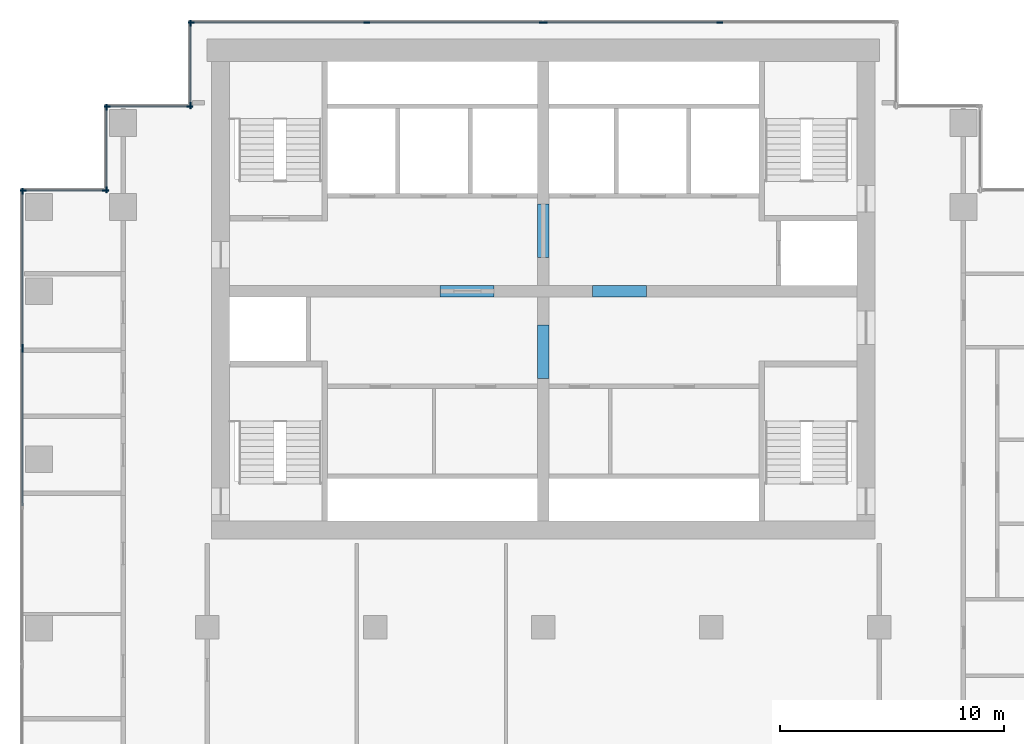
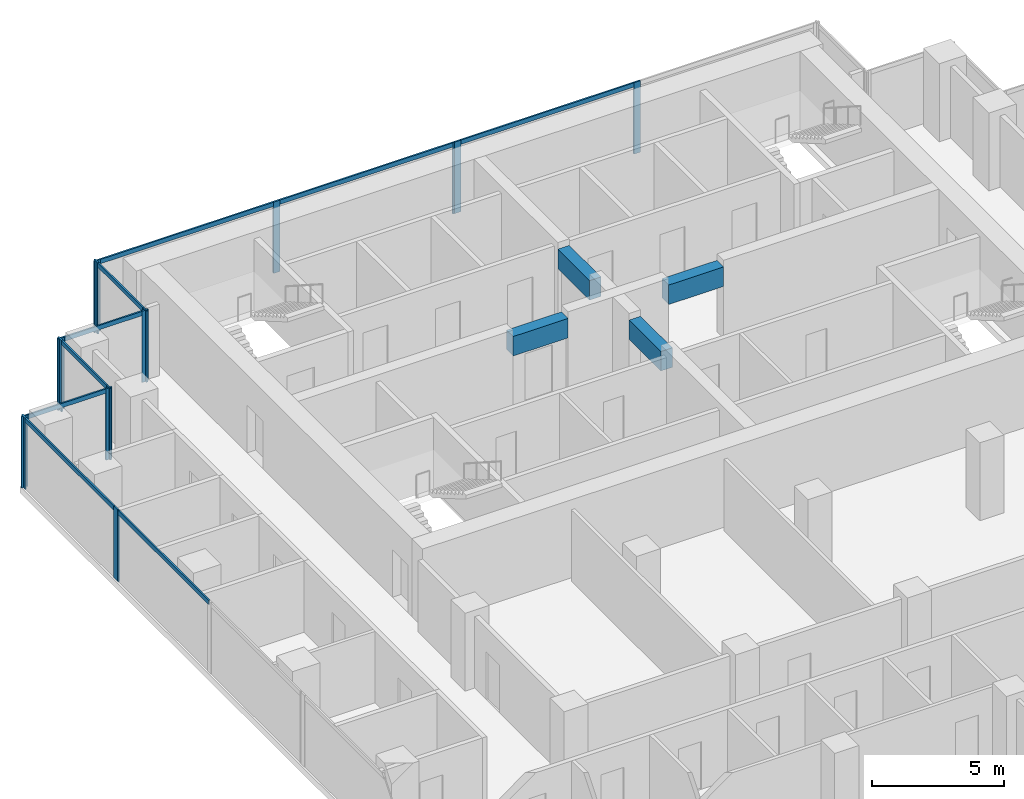
# One storey, part 4 of 11: 25 members, 4 beams, 8 elements without a shape of their own.
"""IFC4 building model written with IfcOpenShell, lengths in metres."""

from ifc_helpers import new_model, si_unit, direction, frame, origin, origin_2d, place, context, subcontext, project, spatial, rectangle, extrude, material, material_profile, profile_set, type_object, element, aggregate, save


model = new_model("IFC4")

# Units and contexts
model_context = context("Model", 3, precision=1e-05, world=origin(), true_north=direction((0.0, 1.0)))
body_context = subcontext(model_context, "Body", "Model", "MODEL_VIEW")
ifc_project = project(units=[si_unit("LENGTHUNIT", "METRE"), si_unit("AREAUNIT", "SQUARE_METRE"), si_unit("VOLUMEUNIT", "CUBIC_METRE"), si_unit("PLANEANGLEUNIT", "RADIAN"), si_unit("MASSUNIT", "GRAM", prefix="KILO")], contexts=[model_context])

# Site, building, storey
site_placement = place(None, origin())
site = spatial("IfcSite", under=ifc_project, at=site_placement, CompositionType="ELEMENT")
building_placement = place(site_placement, origin())
building = spatial("IfcBuilding", under=site, at=building_placement, Name="Pilkhan Gate Tower", CompositionType="ELEMENT")
storey_placement = place(building_placement, frame((0.0, 0.0, 151.300048828125)))
storey = spatial("IfcBuildingStorey", under=building, at=storey_placement, Name="L38", CompositionType="ELEMENT", Elevation=151.300048828125)

# Beams
ifc_material_1 = material(Name="Concrete C60/75", Category="concrete")
ifc_material_profile_1 = material_profile(ifc_material_1, rectangle(XDim=0.5, YDim=0.89990234375, at=origin_2d()), Name="RC 500x900")
ifc_profile_set_1 = profile_set([ifc_material_profile_1], Name="Concrete C60/75")
beam_type = type_object("IfcBeamType", Name="Coupling beam CB90 RC 500x900 C60/75", PredefinedType="LINTEL", material=ifc_profile_set_1)
for number, where, z_axis, x_axis, name in (
    (1, (70.39990234375, 82.5, 2.849853515625), (1.0, 0.0, 0.0), (0.0, 1.0, 0.0), "Coupling beam 1 L38"),
    (2, (77.199951171875, 82.5, 2.849853515625), (1.0, 0.0, 0.0), (0.0, 1.0, 0.0), "Coupling beam 2 L38"),
):
    element("IfcBeam", number, at=place(storey_placement, frame(where, z_axis=z_axis, x_axis=x_axis)), inside=storey, type_object=beam_type, Name=name, PredefinedType="LINTEL", context=body_context, shape_type="SweptSolid", body=[
        extrude(rectangle(XDim=0.5, YDim=0.89990234375, at=origin_2d()), origin(), (0.0, 0.0, 1.0), 2.400146484375),
    ])
for number, where, z_axis, x_axis, name in (
    (3, (75.0, 78.60009765625, 2.849853515625), (0.0, 1.0, 0.0), (-1.0, 0.0, 0.0), "Coupling beam 3 L38"),
    (4, (75.0, 84.0, 2.849853515625), (0.0, 1.0, 0.0), (-1.0, 0.0, 0.0), "Coupling beam 4 L38"),
):
    element("IfcBeam", number, at=place(storey_placement, frame(where, z_axis=z_axis, x_axis=x_axis)), inside=storey, type_object=beam_type, Name=name, PredefinedType="LINTEL", context=body_context, shape_type="SweptSolid", body=[
        extrude(rectangle(XDim=0.5, YDim=0.89990234375, at=origin_2d()), origin(), (0.0, 0.0, 1.0), 2.39990234375),
    ])

# Curtain wall, members
ifc_material_2 = material(Name="Pale anodised aluminium, clear low-iron double glazing", Category="aluminium")
curtain_wall_type = type_object("IfcCurtainWallType", Name="Office unitised curtain wall CW-O1", PredefinedType="USERDEFINED", material=ifc_material_2)
curtain_wall_1_placement = place(storey_placement, origin())
curtain_wall_1 = element("IfcCurtainWall", 5, at=curtain_wall_1_placement, inside=storey, type_object=curtain_wall_type, Name="Office unitised curtain wall CW-O1 L38 N", ObjectType="UNITISED CURTAIN WALL", PredefinedType="USERDEFINED")
ifc_material_3 = material(Name="Pale anodised aluminium", Category="aluminium")
ifc_material_profile_2 = material_profile(ifc_material_3, rectangle(XDim=0.070068359375, YDim=0.27490234375, at=origin_2d()), Name="Mullion 275x70")
ifc_profile_set_2 = profile_set([ifc_material_profile_2], Name="Pale anodised aluminium")
member_type_1 = type_object("IfcMemberType", Name="Mullion CW-O1 275x70", PredefinedType="MULLION", material=ifc_profile_set_2)
member_1_placement = place(storey_placement, frame((59.284912109375, 94.5, 0.0), z_axis=(0.0, 0.0, 1.0), x_axis=(0.0, 1.0, 0.0)))
member_1 = element("IfcMember", 6, at=member_1_placement, type_object=member_type_1, Name="CW-O1 mullion 1", PredefinedType="MULLION", context=body_context, shape_type="SweptSolid", body=[
    extrude(rectangle(XDim=0.070068359375, YDim=0.27490234375, at=origin_2d()), origin(), (0.0, 0.0, 1.0), 3.300048828125),
])
member_2_placement = place(storey_placement, frame((67.125, 94.5, 0.0), z_axis=(0.0, 0.0, 1.0), x_axis=(0.0, 1.0, 0.0)))
member_2 = element("IfcMember", 7, at=member_2_placement, type_object=member_type_1, Name="CW-O1 mullion 2", PredefinedType="MULLION", context=body_context, shape_type="SweptSolid", body=[
    extrude(rectangle(XDim=0.070068359375, YDim=0.27490234375, at=origin_2d()), origin(), (0.0, 0.0, 1.0), 3.300048828125),
])
member_3_placement = place(storey_placement, frame((74.965087890625, 94.5, 0.0), z_axis=(0.0, 0.0, 1.0), x_axis=(0.0, 1.0, 0.0)))
member_3 = element("IfcMember", 8, at=member_3_placement, type_object=member_type_1, Name="CW-O1 mullion 3", PredefinedType="MULLION", context=body_context, shape_type="SweptSolid", body=[
    extrude(rectangle(XDim=0.070068359375, YDim=0.27490234375, at=origin_2d()), origin(), (0.0, 0.0, 1.0), 3.300048828125),
])

curtain_wall_2_placement = place(storey_placement, origin())
curtain_wall_2 = element("IfcCurtainWall", 9, at=curtain_wall_2_placement, inside=storey, type_object=curtain_wall_type, Name="Office unitised curtain wall CW-O1 L38 N", ObjectType="UNITISED CURTAIN WALL", PredefinedType="USERDEFINED")
member_4_placement = place(storey_placement, frame((75.034912109375, 94.5, 0.0), z_axis=(0.0, 0.0, 1.0), x_axis=(0.0, 1.0, 0.0)))
member_4 = element("IfcMember", 10, at=member_4_placement, type_object=member_type_1, Name="CW-O1 mullion 1", PredefinedType="MULLION", context=body_context, shape_type="SweptSolid", body=[
    extrude(rectangle(XDim=0.070068359375, YDim=0.27490234375, at=origin_2d()), origin(), (0.0, 0.0, 1.0), 3.300048828125),
])
member_5_placement = place(storey_placement, frame((82.875, 94.5, 0.0), z_axis=(0.0, 0.0, 1.0), x_axis=(0.0, 1.0, 0.0)))
member_5 = element("IfcMember", 11, at=member_5_placement, type_object=member_type_1, Name="CW-O1 mullion 2", PredefinedType="MULLION", context=body_context, shape_type="SweptSolid", body=[
    extrude(rectangle(XDim=0.070068359375, YDim=0.27490234375, at=origin_2d()), origin(), (0.0, 0.0, 1.0), 3.300048828125),
])

curtain_wall_3_placement = place(storey_placement, origin())
curtain_wall_3 = element("IfcCurtainWall", 12, at=curtain_wall_3_placement, inside=storey, type_object=curtain_wall_type, Name="Office unitised curtain wall CW-O1 L38 W", ObjectType="UNITISED CURTAIN WALL", PredefinedType="USERDEFINED")
member_6_placement = place(storey_placement, frame((59.25, 90.784912109375, 0.0), z_axis=(0.0, 0.0, 1.0), x_axis=(-1.0, 0.0, 0.0)))
member_6 = element("IfcMember", 13, at=member_6_placement, type_object=member_type_1, Name="CW-O1 mullion 1", PredefinedType="MULLION", context=body_context, shape_type="SweptSolid", body=[
    extrude(rectangle(XDim=0.070068359375, YDim=0.27490234375, at=origin_2d()), origin(), (0.0, 0.0, 1.0), 3.300048828125),
])
member_7_placement = place(storey_placement, frame((59.25, 94.465087890625, 0.0), z_axis=(0.0, 0.0, 1.0), x_axis=(-1.0, 0.0, 0.0)))
member_7 = element("IfcMember", 14, at=member_7_placement, type_object=member_type_1, Name="CW-O1 mullion 2", PredefinedType="MULLION", context=body_context, shape_type="SweptSolid", body=[
    extrude(rectangle(XDim=0.070068359375, YDim=0.27490234375, at=origin_2d()), origin(), (0.0, 0.0, 1.0), 3.300048828125),
])

curtain_wall_4_placement = place(storey_placement, origin())
curtain_wall_4 = element("IfcCurtainWall", 15, at=curtain_wall_4_placement, inside=storey, type_object=curtain_wall_type, Name="Office unitised curtain wall CW-O1 L38 N", ObjectType="UNITISED CURTAIN WALL", PredefinedType="USERDEFINED")
member_8_placement = place(storey_placement, frame((55.534912109375, 90.75, 0.0), z_axis=(0.0, 0.0, 1.0), x_axis=(0.0, 1.0, 0.0)))
member_8 = element("IfcMember", 16, at=member_8_placement, type_object=member_type_1, Name="CW-O1 mullion 1", PredefinedType="MULLION", context=body_context, shape_type="SweptSolid", body=[
    extrude(rectangle(XDim=0.070068359375, YDim=0.27490234375, at=origin_2d()), origin(), (0.0, 0.0, 1.0), 3.300048828125),
])
member_9_placement = place(storey_placement, frame((59.215087890625, 90.75, 0.0), z_axis=(0.0, 0.0, 1.0), x_axis=(0.0, 1.0, 0.0)))
member_9 = element("IfcMember", 17, at=member_9_placement, type_object=member_type_1, Name="CW-O1 mullion 2", PredefinedType="MULLION", context=body_context, shape_type="SweptSolid", body=[
    extrude(rectangle(XDim=0.070068359375, YDim=0.27490234375, at=origin_2d()), origin(), (0.0, 0.0, 1.0), 3.300048828125),
])

curtain_wall_5_placement = place(storey_placement, origin())
curtain_wall_5 = element("IfcCurtainWall", 18, at=curtain_wall_5_placement, inside=storey, type_object=curtain_wall_type, Name="Office unitised curtain wall CW-O1 L38 W", ObjectType="UNITISED CURTAIN WALL", PredefinedType="USERDEFINED")
member_10_placement = place(storey_placement, frame((55.5, 87.034912109375, 0.0), z_axis=(0.0, 0.0, 1.0), x_axis=(-1.0, 0.0, 0.0)))
member_10 = element("IfcMember", 19, at=member_10_placement, type_object=member_type_1, Name="CW-O1 mullion 1", PredefinedType="MULLION", context=body_context, shape_type="SweptSolid", body=[
    extrude(rectangle(XDim=0.070068359375, YDim=0.27490234375, at=origin_2d()), origin(), (0.0, 0.0, 1.0), 3.300048828125),
])
member_11_placement = place(storey_placement, frame((55.5, 90.715087890625, 0.0), z_axis=(0.0, 0.0, 1.0), x_axis=(-1.0, 0.0, 0.0)))
member_11 = element("IfcMember", 20, at=member_11_placement, type_object=member_type_1, Name="CW-O1 mullion 2", PredefinedType="MULLION", context=body_context, shape_type="SweptSolid", body=[
    extrude(rectangle(XDim=0.070068359375, YDim=0.27490234375, at=origin_2d()), origin(), (0.0, 0.0, 1.0), 3.300048828125),
])

curtain_wall_6_placement = place(storey_placement, origin())
curtain_wall_6 = element("IfcCurtainWall", 21, at=curtain_wall_6_placement, inside=storey, type_object=curtain_wall_type, Name="Office unitised curtain wall CW-O1 L38 N", ObjectType="UNITISED CURTAIN WALL", PredefinedType="USERDEFINED")
member_12_placement = place(storey_placement, frame((51.784912109375, 87.0, 0.0), z_axis=(0.0, 0.0, 1.0), x_axis=(0.0, 1.0, 0.0)))
member_12 = element("IfcMember", 22, at=member_12_placement, type_object=member_type_1, Name="CW-O1 mullion 1", PredefinedType="MULLION", context=body_context, shape_type="SweptSolid", body=[
    extrude(rectangle(XDim=0.070068359375, YDim=0.27490234375, at=origin_2d()), origin(), (0.0, 0.0, 1.0), 3.300048828125),
])
member_13_placement = place(storey_placement, frame((55.465087890625, 87.0, 0.0), z_axis=(0.0, 0.0, 1.0), x_axis=(0.0, 1.0, 0.0)))
member_13 = element("IfcMember", 23, at=member_13_placement, type_object=member_type_1, Name="CW-O1 mullion 2", PredefinedType="MULLION", context=body_context, shape_type="SweptSolid", body=[
    extrude(rectangle(XDim=0.070068359375, YDim=0.27490234375, at=origin_2d()), origin(), (0.0, 0.0, 1.0), 3.300048828125),
])

# Curtain wall, member
curtain_wall_7_placement = place(storey_placement, origin())
curtain_wall_7 = element("IfcCurtainWall", 24, at=curtain_wall_7_placement, inside=storey, type_object=curtain_wall_type, Name="Office unitised curtain wall CW-O1 L38 W", ObjectType="UNITISED CURTAIN WALL", PredefinedType="USERDEFINED")
member_14_placement = place(storey_placement, frame((51.75, 79.9150390625, 0.0), z_axis=(0.0, 0.0, 1.0), x_axis=(-1.0, 0.0, 0.0)))
member_14 = element("IfcMember", 25, at=member_14_placement, type_object=member_type_1, Name="CW-O1 mullion 3", PredefinedType="MULLION", context=body_context, shape_type="SweptSolid", body=[
    extrude(rectangle(XDim=0.070068359375, YDim=0.27490234375, at=origin_2d()), origin(), (0.0, 0.0, 1.0), 3.300048828125),
])

# Curtain wall, members
curtain_wall_8_placement = place(storey_placement, origin())
curtain_wall_8 = element("IfcCurtainWall", 26, at=curtain_wall_8_placement, inside=storey, type_object=curtain_wall_type, Name="Office unitised curtain wall CW-O1 L38 W", ObjectType="UNITISED CURTAIN WALL", PredefinedType="USERDEFINED")
member_15_placement = place(storey_placement, frame((51.75, 79.985107421875, 0.0), z_axis=(0.0, 0.0, 1.0), x_axis=(-1.0, 0.0, 0.0)))
member_15 = element("IfcMember", 27, at=member_15_placement, type_object=member_type_1, Name="CW-O1 mullion 1", PredefinedType="MULLION", context=body_context, shape_type="SweptSolid", body=[
    extrude(rectangle(XDim=0.070068359375, YDim=0.27490234375, at=origin_2d()), origin(), (0.0, 0.0, 1.0), 3.300048828125),
])
member_16_placement = place(storey_placement, frame((51.75, 86.965087890625, 0.0), z_axis=(0.0, 0.0, 1.0), x_axis=(-1.0, 0.0, 0.0)))
member_16 = element("IfcMember", 28, at=member_16_placement, type_object=member_type_1, Name="CW-O1 mullion 2", PredefinedType="MULLION", context=body_context, shape_type="SweptSolid", body=[
    extrude(rectangle(XDim=0.070068359375, YDim=0.27490234375, at=origin_2d()), origin(), (0.0, 0.0, 1.0), 3.300048828125),
])

# Member
ifc_material_profile_3 = material_profile(ifc_material_3, rectangle(XDim=0.070068359375, YDim=0.199951171875, at=origin_2d()), Name="Transom 200x70")
ifc_profile_set_3 = profile_set([ifc_material_profile_3], Name="Pale anodised aluminium")
member_type_2 = type_object("IfcMemberType", Name="Transom CW-O1 200x70", PredefinedType="USERDEFINED", material=ifc_profile_set_3)
member_17_placement = place(storey_placement, frame((59.320068359375, 94.5, 3.199951171875), z_axis=(1.0, 0.0, 0.0), x_axis=(0.0, 1.0, 0.0)))
member_17 = element("IfcMember", 29, at=member_17_placement, type_object=member_type_2, Name="CW-O1 transom 1", ObjectType="TRANSOM", PredefinedType="USERDEFINED", context=body_context, shape_type="SweptSolid", body=[
    extrude(rectangle(XDim=0.070068359375, YDim=0.199951171875, at=origin_2d()), origin(), (0.0, 0.0, 1.0), 7.77001953125),
])

member_18_placement = place(storey_placement, frame((67.159912109375, 94.5, 3.199951171875), z_axis=(1.0, 0.0, 0.0), x_axis=(0.0, 1.0, 0.0)))
member_18 = element("IfcMember", 30, at=member_18_placement, type_object=member_type_2, Name="CW-O1 transom 2", ObjectType="TRANSOM", PredefinedType="USERDEFINED", context=body_context, shape_type="SweptSolid", body=[
    extrude(rectangle(XDim=0.070068359375, YDim=0.199951171875, at=origin_2d()), origin(), (0.0, 0.0, 1.0), 7.77001953125),
])

aggregate(curtain_wall_1, [member_1, member_2, member_3, member_17, member_18])

member_19_placement = place(storey_placement, frame((75.070068359375, 94.5, 3.199951171875), z_axis=(1.0, 0.0, 0.0), x_axis=(0.0, 1.0, 0.0)))
member_19 = element("IfcMember", 31, at=member_19_placement, type_object=member_type_2, Name="CW-O1 transom 1", ObjectType="TRANSOM", PredefinedType="USERDEFINED", context=body_context, shape_type="SweptSolid", body=[
    extrude(rectangle(XDim=0.070068359375, YDim=0.199951171875, at=origin_2d()), origin(), (0.0, 0.0, 1.0), 7.77001953125),
])

aggregate(curtain_wall_2, [member_4, member_5, member_19])

member_20_placement = place(storey_placement, frame((59.25, 90.820068359375, 3.199951171875), z_axis=(0.0, 1.0, 0.0), x_axis=(-1.0, 0.0, 0.0)))
member_20 = element("IfcMember", 32, at=member_20_placement, type_object=member_type_2, Name="CW-O1 transom 1", ObjectType="TRANSOM", PredefinedType="USERDEFINED", context=body_context, shape_type="SweptSolid", body=[
    extrude(rectangle(XDim=0.070068359375, YDim=0.199951171875, at=origin_2d()), origin(), (0.0, 0.0, 1.0), 3.60986328125),
])

aggregate(curtain_wall_3, [member_6, member_7, member_20])

member_21_placement = place(storey_placement, frame((55.570068359375, 90.75, 3.199951171875), z_axis=(1.0, 0.0, 0.0), x_axis=(0.0, 1.0, 0.0)))
member_21 = element("IfcMember", 33, at=member_21_placement, type_object=member_type_2, Name="CW-O1 transom 1", ObjectType="TRANSOM", PredefinedType="USERDEFINED", context=body_context, shape_type="SweptSolid", body=[
    extrude(rectangle(XDim=0.070068359375, YDim=0.199951171875, at=origin_2d()), origin(), (0.0, 0.0, 1.0), 3.60986328125),
])

aggregate(curtain_wall_4, [member_8, member_9, member_21])

member_22_placement = place(storey_placement, frame((55.5, 87.070068359375, 3.199951171875), z_axis=(0.0, 1.0, 0.0), x_axis=(-1.0, 0.0, 0.0)))
member_22 = element("IfcMember", 34, at=member_22_placement, type_object=member_type_2, Name="CW-O1 transom 1", ObjectType="TRANSOM", PredefinedType="USERDEFINED", context=body_context, shape_type="SweptSolid", body=[
    extrude(rectangle(XDim=0.070068359375, YDim=0.199951171875, at=origin_2d()), origin(), (0.0, 0.0, 1.0), 3.60986328125),
])

aggregate(curtain_wall_5, [member_10, member_11, member_22])

member_23_placement = place(storey_placement, frame((51.820068359375, 87.0, 3.199951171875), z_axis=(1.0, 0.0, 0.0), x_axis=(0.0, 1.0, 0.0)))
member_23 = element("IfcMember", 35, at=member_23_placement, type_object=member_type_2, Name="CW-O1 transom 1", ObjectType="TRANSOM", PredefinedType="USERDEFINED", context=body_context, shape_type="SweptSolid", body=[
    extrude(rectangle(XDim=0.070068359375, YDim=0.199951171875, at=origin_2d()), origin(), (0.0, 0.0, 1.0), 3.60986328125),
])

aggregate(curtain_wall_6, [member_12, member_13, member_23])

member_24_placement = place(storey_placement, frame((51.75, 72.93505859375, 3.199951171875), z_axis=(0.0, 1.0, 0.0), x_axis=(-1.0, 0.0, 0.0)))
member_24 = element("IfcMember", 36, at=member_24_placement, type_object=member_type_2, Name="CW-O1 transom 2", ObjectType="TRANSOM", PredefinedType="USERDEFINED", context=body_context, shape_type="SweptSolid", body=[
    extrude(rectangle(XDim=0.070068359375, YDim=0.199951171875, at=origin_2d()), origin(), (0.0, 0.0, 1.0), 6.94482421875),
])

aggregate(curtain_wall_7, [member_14, member_24])

member_25_placement = place(storey_placement, frame((51.75, 80.02001953125, 3.199951171875), z_axis=(0.0, 1.0, 0.0), x_axis=(-1.0, 0.0, 0.0)))
member_25 = element("IfcMember", 37, at=member_25_placement, type_object=member_type_2, Name="CW-O1 transom 1", ObjectType="TRANSOM", PredefinedType="USERDEFINED", context=body_context, shape_type="SweptSolid", body=[
    extrude(rectangle(XDim=0.070068359375, YDim=0.199951171875, at=origin_2d()), origin(), (0.0, 0.0, 1.0), 6.909912109375),
])

aggregate(curtain_wall_8, [member_15, member_16, member_25])

save(model, "model.ifc")
